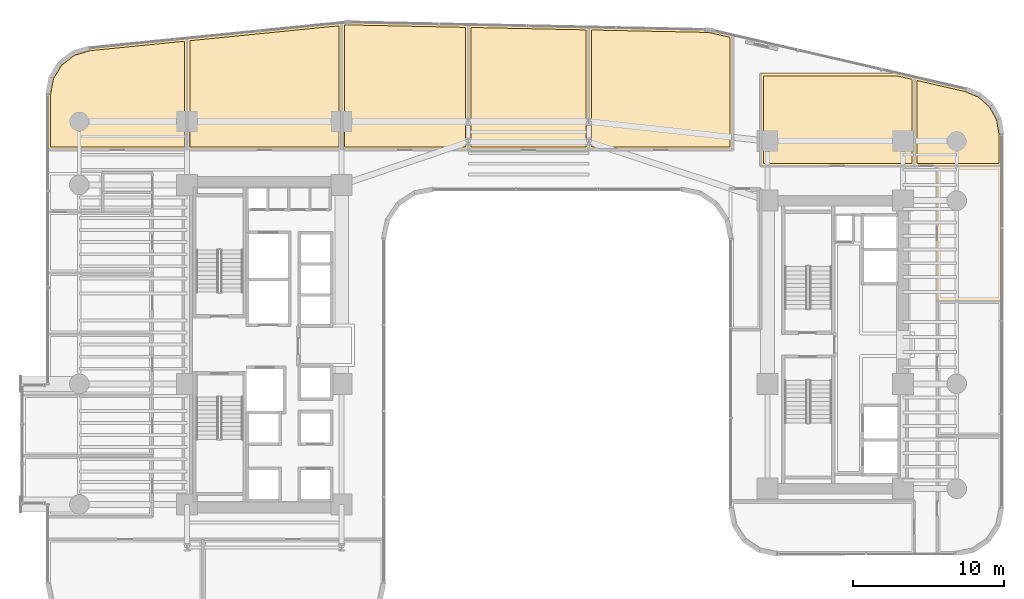
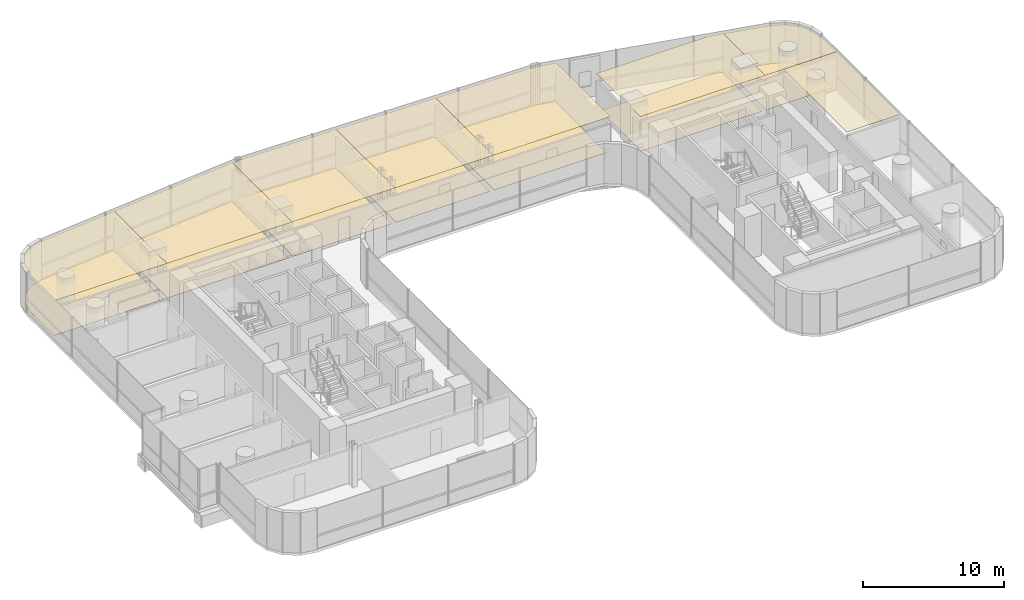
# One storey, part 39 of 39: 15 coverings.
"""IFC4 building model written with IfcOpenShell, lengths in metres."""

from ifc_helpers import new_model, si_unit, direction, frame, origin, place, context, subcontext, project, spatial, polyline, outline, extrude, material, layer, layer_set, type_object, element, save


model = new_model("IFC4")

# Units and contexts
model_context = context("Model", 3, precision=1e-05, world=origin(), true_north=direction((0.0, 1.0)))
body_context = subcontext(model_context, "Body", "Model", "MODEL_VIEW")
ifc_project = project(units=[si_unit("LENGTHUNIT", "METRE"), si_unit("AREAUNIT", "SQUARE_METRE"), si_unit("VOLUMEUNIT", "CUBIC_METRE"), si_unit("PLANEANGLEUNIT", "RADIAN"), si_unit("MASSUNIT", "GRAM", prefix="KILO")], contexts=[model_context])

# Site, building, storey
site_placement = place(None, origin())
site = spatial("IfcSite", under=ifc_project, at=site_placement, CompositionType="ELEMENT")
building_placement = place(site_placement, origin())
building = spatial("IfcBuilding", under=site, at=building_placement, Name="Valdorenza Pilgrim Sanctuary Tower", CompositionType="ELEMENT")
storey_placement = place(building_placement, frame((0.0, 0.0, 33.39990234375)))
storey = spatial("IfcBuildingStorey", under=building, at=storey_placement, Name="L07", CompositionType="ELEMENT", Elevation=33.39990234375)

# Coverings
ifc_material_1 = material(Name="Micro-perforated acoustic mineral ceiling tile", Category="gypsum")
ifc_layer_1 = layer(ifc_material_1, 0.02490234375, Name="Micro-perforated acoustic mineral ceiling tile")
ifc_layer_set_1 = layer_set([ifc_layer_1], Name="Micro-perforated acoustic mineral ceiling tile")
covering_type_1 = type_object("IfcCoveringType", Name="COV-CLG-ACU", PredefinedType="CEILING", material=ifc_layer_set_1)
covering_1_placement = place(storey_placement, frame((0.0, 0.0, 3.16015625)))
element("IfcCovering", 1, at=covering_1_placement, inside=storey, type_object=covering_type_1, Name="L07 Sanctuary Administration Office L07-N1 Acoustic Ceiling", PredefinedType="CEILING", context=body_context, shape_type="SweptSolid", body=[
    extrude(outline(polyline([(-31.889892578125, 12.905029296875), (-31.8916015625, 12.905029296875), (-31.892822265625, 12.9052734375), (-31.894287109375, 12.905517578125), (-31.895751953125, 12.906005859375), (-31.897216796875, 12.90673828125), (-31.898193359375, 12.907470703125), (-31.8994140625, 12.908447265625), (-31.900634765625, 12.909423828125), (-31.901611328125, 12.910400390625), (-31.902587890625, 12.91162109375), (-31.9033203125, 12.912841796875), (-31.90380859375, 12.914306640625), (-31.904296875, 12.91552734375), (-31.90478515625, 12.9169921875), (-31.90478515625, 12.91845703125), (-31.905029296875, 12.919921875), (-31.905029296875, 16.593994140625), (-31.90478515625, 16.59521484375), (-31.90478515625, 16.5966796875), (-31.6962890625, 17.717041015625), (-31.696044921875, 17.718505859375), (-31.695556640625, 17.7197265625), (-31.695068359375, 17.720947265625), (-31.6943359375, 17.72216796875), (-31.102294921875, 18.68408203125), (-31.1015625, 18.685302734375), (-31.100830078125, 18.686279296875), (-31.099853515625, 18.687255859375), (-31.0986328125, 18.688232421875), (-30.20068359375, 19.372802734375), (-30.199462890625, 19.37353515625), (-30.1982421875, 19.374267578125), (-30.197021484375, 19.374755859375), (-30.19580078125, 19.375244140625), (-29.1015625, 19.694091796875), (-29.10009765625, 19.694580078125), (-29.098876953125, 19.694580078125), (-22.651611328125, 20.33935546875), (-22.64990234375, 20.339599609375), (-22.6484375, 20.33935546875), (-22.647216796875, 20.339111328125), (-22.645751953125, 20.3388671875), (-22.644287109375, 20.33837890625), (-22.642822265625, 20.337646484375), (-22.6416015625, 20.3369140625), (-22.640380859375, 20.336181640625), (-22.639404296875, 20.335205078125), (-22.638427734375, 20.333984375), (-22.637451171875, 20.332763671875), (-22.63671875, 20.33154296875), (-22.635986328125, 20.330078125), (-22.635498046875, 20.328857421875), (-22.63525390625, 20.327392578125), (-22.635009765625, 20.325927734375), (-22.635009765625, 20.324462890625), (-22.635009765625, 12.919921875), (-22.635009765625, 12.91845703125), (-22.63525390625, 12.9169921875), (-22.635498046875, 12.91552734375), (-22.635986328125, 12.914306640625), (-22.63671875, 12.912841796875), (-22.637451171875, 12.91162109375), (-22.638427734375, 12.910400390625), (-22.639404296875, 12.909423828125), (-22.640380859375, 12.908447265625), (-22.6416015625, 12.907470703125), (-22.642822265625, 12.90673828125), (-22.644287109375, 12.906005859375), (-22.6455078125, 12.905517578125), (-22.647216796875, 12.9052734375), (-22.6484375, 12.905029296875), (-22.64990234375, 12.905029296875), (-31.889892578125, 12.905029296875)])), origin(), (0.0, 0.0, 1.0), 0.02490234375),
])
covering_2_placement = place(storey_placement, frame((0.0, 0.0, 3.16015625)))
element("IfcCovering", 2, at=covering_2_placement, inside=storey, type_object=covering_type_1, Name="L07 Sanctuary Administration Office L07-N2 Acoustic Ceiling", PredefinedType="CEILING", context=body_context, shape_type="SweptSolid", body=[
    extrude(outline(polyline([(-22.6630859375, 20.324462890625), (-22.6630859375, 20.325439453125), (-22.662841796875, 20.326904296875), (-22.66259765625, 20.32861328125), (-22.662109375, 20.329833984375), (-22.66162109375, 20.331298828125), (-22.66064453125, 20.332763671875), (-22.659912109375, 20.333984375), (-22.658935546875, 20.3349609375), (-22.65771484375, 20.336181640625), (-22.656494140625, 20.3369140625), (-22.6552734375, 20.337890625), (-22.65380859375, 20.33837890625), (-22.652587890625, 20.339111328125), (-22.65087890625, 20.33935546875), (-22.6494140625, 20.339599609375), (-12.401611328125, 21.364501953125), (-12.39990234375, 21.364501953125), (-12.3984375, 21.364501953125), (-12.397216796875, 21.3642578125), (-12.395751953125, 21.36376953125), (-12.394287109375, 21.36328125), (-12.392822265625, 21.36279296875), (-12.3916015625, 21.36181640625), (-12.390380859375, 21.361083984375), (-12.389404296875, 21.360107421875), (-12.388427734375, 21.35888671875), (-12.387451171875, 21.35791015625), (-12.38671875, 21.3564453125), (-12.385986328125, 21.355224609375), (-12.385498046875, 21.353759765625), (-12.38525390625, 21.352294921875), (-12.385009765625, 21.350830078125), (-12.385009765625, 21.349609375), (-12.385009765625, 12.919921875), (-12.385009765625, 12.91845703125), (-12.38525390625, 12.9169921875), (-12.385498046875, 12.91552734375), (-12.385986328125, 12.914306640625), (-12.38671875, 12.912841796875), (-12.387451171875, 12.91162109375), (-12.388427734375, 12.910400390625), (-12.389404296875, 12.909423828125), (-12.390380859375, 12.908447265625), (-12.3916015625, 12.907470703125), (-12.392822265625, 12.90673828125), (-12.394287109375, 12.906005859375), (-12.3955078125, 12.905517578125), (-12.397216796875, 12.9052734375), (-12.3984375, 12.905029296875), (-12.39990234375, 12.905029296875), (-22.64794921875, 12.905029296875), (-22.6494140625, 12.905029296875), (-22.65087890625, 12.9052734375), (-22.65234375, 12.905517578125), (-22.65380859375, 12.906005859375), (-22.655029296875, 12.90673828125), (-22.65625, 12.907470703125), (-22.657470703125, 12.908447265625), (-22.65869140625, 12.909423828125), (-22.65966796875, 12.910400390625), (-22.660400390625, 12.91162109375), (-22.6611328125, 12.912841796875), (-22.661865234375, 12.914306640625), (-22.662353515625, 12.91552734375), (-22.66259765625, 12.9169921875), (-22.662841796875, 12.91845703125), (-22.6630859375, 12.919921875), (-22.6630859375, 20.324462890625), (-22.6630859375, 20.324462890625)])), origin(), (0.0, 0.0, 1.0), 0.02490234375),
])
covering_3_placement = place(storey_placement, frame((0.0, 0.0, 3.16015625)))
element("IfcCovering", 3, at=covering_3_placement, inside=storey, type_object=covering_type_1, Name="L07 Sanctuary Administration Office L07-N3 Acoustic Ceiling", PredefinedType="CEILING", context=body_context, shape_type="SweptSolid", body=[
    extrude(outline(polyline([(-12.4130859375, 21.349609375), (-12.4130859375, 21.3505859375), (-12.412841796875, 21.35205078125), (-12.41259765625, 21.353515625), (-12.412109375, 21.35498046875), (-12.41162109375, 21.356201171875), (-12.41064453125, 21.357666015625), (-12.409912109375, 21.35888671875), (-12.408935546875, 21.360107421875), (-12.40771484375, 21.361083984375), (-12.406494140625, 21.362060546875), (-12.4052734375, 21.36279296875), (-12.40380859375, 21.363525390625), (-12.402587890625, 21.364013671875), (-12.40087890625, 21.364501953125), (-12.3994140625, 21.364501953125), (-12.18359375, 21.38623046875), (-12.183349609375, 21.38623046875), (-12.089599609375, 21.39404296875), (-12.089111328125, 21.39404296875), (-11.996337890625, 21.399169921875), (-11.995849609375, 21.3994140625), (-11.902587890625, 21.401611328125), (-11.90234375, 21.401611328125), (-11.808349609375, 21.40087890625), (-11.80810546875, 21.40087890625), (-3.999755859375, 21.23828125), (-3.998291015625, 21.23828125), (-3.996826171875, 21.238037109375), (-3.995361328125, 21.237548828125), (-3.993896484375, 21.237060546875), (-3.99267578125, 21.236572265625), (-3.991455078125, 21.235595703125), (-3.990234375, 21.23486328125), (-3.9892578125, 21.23388671875), (-3.98828125, 21.232666015625), (-3.987548828125, 21.231689453125), (-3.98681640625, 21.230224609375), (-3.986083984375, 21.22900390625), (-3.985595703125, 21.2275390625), (-3.9853515625, 21.226318359375), (-3.985107421875, 21.224853515625), (-3.985107421875, 21.223388671875), (-3.985107421875, 12.919921875), (-3.985107421875, 12.91845703125), (-3.9853515625, 12.9169921875), (-3.985595703125, 12.91552734375), (-3.986083984375, 12.914306640625), (-3.98681640625, 12.912841796875), (-3.987548828125, 12.91162109375), (-3.98828125, 12.910400390625), (-3.989501953125, 12.909423828125), (-3.990478515625, 12.908447265625), (-3.99169921875, 12.907470703125), (-3.992919921875, 12.90673828125), (-3.994384765625, 12.906005859375), (-3.99560546875, 12.905517578125), (-3.9970703125, 12.9052734375), (-3.99853515625, 12.905029296875), (-4.0, 12.905029296875), (-12.39794921875, 12.905029296875), (-12.3994140625, 12.905029296875), (-12.40087890625, 12.9052734375), (-12.40234375, 12.905517578125), (-12.40380859375, 12.906005859375), (-12.405029296875, 12.90673828125), (-12.40625, 12.907470703125), (-12.407470703125, 12.908447265625), (-12.40869140625, 12.909423828125), (-12.40966796875, 12.910400390625), (-12.410400390625, 12.91162109375), (-12.4111328125, 12.912841796875), (-12.411865234375, 12.914306640625), (-12.412353515625, 12.91552734375), (-12.41259765625, 12.9169921875), (-12.412841796875, 12.91845703125), (-12.4130859375, 12.919921875), (-12.4130859375, 21.349609375), (-12.4130859375, 21.349609375)])), origin(), (0.0, 0.0, 1.0), 0.02490234375),
])
covering_4_placement = place(storey_placement, frame((0.0, 0.0, 3.16015625)))
element("IfcCovering", 4, at=covering_4_placement, inside=storey, type_object=covering_type_1, Name="L07 Sanctuary Administration Office L07-N4 Acoustic Ceiling", PredefinedType="CEILING", context=body_context, shape_type="SweptSolid", body=[
    extrude(outline(polyline([(-3.998046875, 12.905029296875), (-3.99951171875, 12.905029296875), (-4.0009765625, 12.9052734375), (-4.00244140625, 12.905517578125), (-4.003662109375, 12.906005859375), (-4.005126953125, 12.90673828125), (-4.00634765625, 12.907470703125), (-4.007568359375, 12.908447265625), (-4.008544921875, 12.909423828125), (-4.009521484375, 12.910400390625), (-4.010498046875, 12.91162109375), (-4.01123046875, 12.912841796875), (-4.011962890625, 12.914306640625), (-4.012451171875, 12.91552734375), (-4.0126953125, 12.9169921875), (-4.012939453125, 12.91845703125), (-4.012939453125, 12.919921875), (-4.012939453125, 21.223388671875), (-4.012939453125, 21.224853515625), (-4.0126953125, 21.226318359375), (-4.01220703125, 21.227783203125), (-4.01171875, 21.22900390625), (-4.01123046875, 21.23046875), (-4.010498046875, 21.231689453125), (-4.009521484375, 21.23291015625), (-4.008544921875, 21.23388671875), (-4.00732421875, 21.235107421875), (-4.006103515625, 21.23583984375), (-4.0048828125, 21.236572265625), (-4.00341796875, 21.2373046875), (-4.002197265625, 21.23779296875), (-4.000732421875, 21.238037109375), (-3.999267578125, 21.23828125), (-3.997802734375, 21.23828125), (4.000244140625, 21.07177734375), (4.001708984375, 21.071533203125), (4.003173828125, 21.0712890625), (4.004638671875, 21.07080078125), (4.006103515625, 21.0703125), (4.00732421875, 21.06982421875), (4.008544921875, 21.069091796875), (4.009765625, 21.068115234375), (4.0107421875, 21.067138671875), (4.01171875, 21.066162109375), (4.012451171875, 21.06494140625), (4.01318359375, 21.063720703125), (4.013916015625, 21.062255859375), (4.014404296875, 21.06103515625), (4.0146484375, 21.0595703125), (4.014892578125, 21.05810546875), (4.014892578125, 21.056640625), (4.014892578125, 12.919921875), (4.014892578125, 12.91845703125), (4.0146484375, 12.9169921875), (4.014404296875, 12.91552734375), (4.013916015625, 12.914306640625), (4.01318359375, 12.912841796875), (4.012451171875, 12.91162109375), (4.01171875, 12.910400390625), (4.010498046875, 12.909423828125), (4.009521484375, 12.908447265625), (4.00830078125, 12.907470703125), (4.007080078125, 12.90673828125), (4.005615234375, 12.906005859375), (4.00439453125, 12.905517578125), (4.0029296875, 12.9052734375), (4.00146484375, 12.905029296875), (4.0, 12.905029296875), (-3.998046875, 12.905029296875)])), origin(), (0.0, 0.0, 1.0), 0.02490234375),
])
covering_5_placement = place(storey_placement, frame((0.0, 0.0, 3.16015625)))
element("IfcCovering", 5, at=covering_5_placement, inside=storey, type_object=covering_type_1, Name="L07 Sanctuary Administration Office L07-N5 Acoustic Ceiling", PredefinedType="CEILING", context=body_context, shape_type="SweptSolid", body=[
    extrude(outline(polyline([(4.001953125, 12.905029296875), (4.00048828125, 12.905029296875), (3.9990234375, 12.9052734375), (3.99755859375, 12.905517578125), (3.996337890625, 12.906005859375), (3.994873046875, 12.90673828125), (3.99365234375, 12.907470703125), (3.992431640625, 12.908447265625), (3.991455078125, 12.909423828125), (3.990478515625, 12.910400390625), (3.989501953125, 12.91162109375), (3.98876953125, 12.912841796875), (3.988037109375, 12.914306640625), (3.987548828125, 12.91552734375), (3.9873046875, 12.9169921875), (3.987060546875, 12.91845703125), (3.987060546875, 12.919921875), (3.987060546875, 21.056640625), (3.987060546875, 21.05810546875), (3.9873046875, 21.0595703125), (3.98779296875, 21.06103515625), (3.98828125, 21.0625), (3.98876953125, 21.063720703125), (3.989501953125, 21.06494140625), (3.990478515625, 21.066162109375), (3.991455078125, 21.0673828125), (3.99267578125, 21.068359375), (3.993896484375, 21.069091796875), (3.9951171875, 21.06982421875), (3.99658203125, 21.070556640625), (3.997802734375, 21.071044921875), (3.999267578125, 21.0712890625), (4.000732421875, 21.071533203125), (4.002197265625, 21.071533203125), (11.666015625, 20.912109375), (11.66650390625, 20.911865234375), (11.82666015625, 20.904296875), (11.827392578125, 20.904296875), (11.98583984375, 20.888916015625), (11.986572265625, 20.888671875), (12.143798828125, 20.864990234375), (12.14453125, 20.864990234375), (12.302001953125, 20.832763671875), (12.30224609375, 20.832763671875), (13.553466796875, 20.5439453125), (13.5546875, 20.543701171875), (13.55615234375, 20.543212890625), (13.557373046875, 20.54248046875), (13.55859375, 20.541748046875), (13.559814453125, 20.540771484375), (13.560791015625, 20.539794921875), (13.561767578125, 20.538818359375), (13.5625, 20.53759765625), (13.563232421875, 20.536376953125), (13.56396484375, 20.534912109375), (13.564453125, 20.53369140625), (13.564697265625, 20.5322265625), (13.56494140625, 20.53076171875), (13.56494140625, 20.529296875), (13.56494140625, 12.919921875), (13.56494140625, 12.91845703125), (13.564697265625, 12.9169921875), (13.564453125, 12.91552734375), (13.56396484375, 12.914306640625), (13.563232421875, 12.912841796875), (13.5625, 12.91162109375), (13.5615234375, 12.910400390625), (13.560546875, 12.909423828125), (13.5595703125, 12.908447265625), (13.558349609375, 12.907470703125), (13.55712890625, 12.90673828125), (13.5556640625, 12.906005859375), (13.554443359375, 12.905517578125), (13.552978515625, 12.9052734375), (13.551513671875, 12.905029296875), (13.550048828125, 12.905029296875), (4.001953125, 12.905029296875)])), origin(), (0.0, 0.0, 1.0), 0.02490234375),
])
covering_6_placement = place(storey_placement, frame((0.0, 0.0, 3.16015625)))
element("IfcCovering", 6, at=covering_6_placement, inside=storey, type_object=covering_type_1, Name="L07 Curator Research Office L07-BN1 Acoustic Ceiling", PredefinedType="CEILING", context=body_context, shape_type="SweptSolid", body=[
    extrude(outline(polyline([(15.39990234375, 11.8349609375), (15.3984375, 11.835205078125), (15.397216796875, 11.835205078125), (15.3955078125, 11.835693359375), (15.394287109375, 11.836181640625), (15.392822265625, 11.8369140625), (15.3916015625, 11.83740234375), (15.390380859375, 11.83837890625), (15.389404296875, 11.83935546875), (15.388427734375, 11.840576171875), (15.387451171875, 11.841796875), (15.38671875, 11.843017578125), (15.385986328125, 11.84423828125), (15.385498046875, 11.845703125), (15.38525390625, 11.84716796875), (15.385009765625, 11.848388671875), (15.385009765625, 11.85009765625), (15.385009765625, 18.0), (15.385009765625, 18.00146484375), (15.38525390625, 18.0029296875), (15.385498046875, 18.00439453125), (15.385986328125, 18.005615234375), (15.38671875, 18.007080078125), (15.387451171875, 18.00830078125), (15.388427734375, 18.009521484375), (15.389404296875, 18.010498046875), (15.390380859375, 18.01171875), (15.3916015625, 18.012451171875), (15.392822265625, 18.01318359375), (15.394287109375, 18.013916015625), (15.3955078125, 18.014404296875), (15.397216796875, 18.0146484375), (15.3984375, 18.014892578125), (15.39990234375, 18.014892578125), (24.5107421875, 18.014892578125), (24.512451171875, 18.014892578125), (24.51416015625, 18.0146484375), (25.603515625, 17.76318359375), (25.604736328125, 17.762939453125), (25.606201171875, 17.76220703125), (25.607421875, 17.76171875), (25.608642578125, 17.760986328125), (25.609619140625, 17.760009765625), (25.61083984375, 17.759033203125), (25.61181640625, 17.758056640625), (25.612548828125, 17.7568359375), (25.61328125, 17.755615234375), (25.614013671875, 17.75439453125), (25.614501953125, 17.7529296875), (25.61474609375, 17.75146484375), (25.614990234375, 17.75), (25.614990234375, 17.74853515625), (25.614990234375, 11.85009765625), (25.614990234375, 11.848388671875), (25.61474609375, 11.84716796875), (25.614501953125, 11.845703125), (25.614013671875, 11.84423828125), (25.61328125, 11.843017578125), (25.612548828125, 11.841796875), (25.611572265625, 11.840576171875), (25.610595703125, 11.83935546875), (25.609619140625, 11.83837890625), (25.6083984375, 11.83740234375), (25.607177734375, 11.8369140625), (25.605712890625, 11.836181640625), (25.6044921875, 11.835693359375), (25.602783203125, 11.835205078125), (25.6015625, 11.835205078125), (25.60009765625, 11.8349609375), (15.39990234375, 11.8349609375)])), origin(), (0.0, 0.0, 1.0), 0.02490234375),
])
covering_7_placement = place(storey_placement, frame((0.0, 0.0, 3.16015625)))
element("IfcCovering", 7, at=covering_7_placement, inside=storey, type_object=covering_type_1, Name="L07 East Wing Reference Library L07-BNE Acoustic Ceiling", PredefinedType="CEILING", context=body_context, shape_type="SweptSolid", body=[
    extrude(outline(polyline([(28.9892578125, 16.98193359375), (28.990478515625, 16.981689453125), (28.99169921875, 16.981201171875), (29.95361328125, 16.580322265625), (29.955078125, 16.57958984375), (29.95654296875, 16.57861328125), (29.9580078125, 16.57763671875), (30.72705078125, 15.88818359375), (30.728271484375, 15.886962890625), (30.729248046875, 15.8857421875), (30.72998046875, 15.88427734375), (31.22900390625, 14.97998046875), (31.2294921875, 14.978271484375), (31.230224609375, 14.976806640625), (31.230712890625, 14.97509765625), (31.40478515625, 13.947509765625), (31.40478515625, 13.9462890625), (31.405029296875, 13.945068359375), (31.405029296875, 11.85009765625), (31.40478515625, 11.848388671875), (31.40478515625, 11.84716796875), (31.404296875, 11.845703125), (31.40380859375, 11.84423828125), (31.4033203125, 11.843017578125), (31.402587890625, 11.841796875), (31.401611328125, 11.840576171875), (31.400634765625, 11.83935546875), (31.3994140625, 11.83837890625), (31.398193359375, 11.83740234375), (31.397216796875, 11.8369140625), (31.395751953125, 11.836181640625), (31.394287109375, 11.835693359375), (31.392822265625, 11.835205078125), (31.3916015625, 11.835205078125), (31.389892578125, 11.8349609375), (25.60205078125, 11.8349609375), (25.6005859375, 11.835205078125), (25.59912109375, 11.835205078125), (25.59765625, 11.835693359375), (25.59619140625, 11.836181640625), (25.594970703125, 11.8369140625), (25.59375, 11.83740234375), (25.592529296875, 11.83837890625), (25.59130859375, 11.83935546875), (25.59033203125, 11.840576171875), (25.589599609375, 11.841796875), (25.5888671875, 11.843017578125), (25.588134765625, 11.84423828125), (25.587646484375, 11.845703125), (25.58740234375, 11.84716796875), (25.587158203125, 11.848388671875), (25.5869140625, 11.85009765625), (25.5869140625, 17.748291015625), (25.587158203125, 17.749755859375), (25.58740234375, 17.751220703125), (25.587646484375, 17.752685546875), (25.588134765625, 17.75390625), (25.5888671875, 17.75537109375), (25.589599609375, 17.756591796875), (25.590576171875, 17.7578125), (25.591552734375, 17.7587890625), (25.5927734375, 17.760009765625), (25.593994140625, 17.7607421875), (25.59521484375, 17.761474609375), (25.596435546875, 17.76220703125), (25.597900390625, 17.7626953125), (25.599365234375, 17.762939453125), (25.600830078125, 17.76318359375), (25.602294921875, 17.76318359375), (25.60400390625, 17.76318359375), (25.60546875, 17.7626953125), (28.9892578125, 16.98193359375)])), origin(), (0.0, 0.0, 1.0), 0.02490234375),
])
covering_8_placement = place(storey_placement, frame((0.0, 0.0, 3.16015625)))
element("IfcCovering", 8, at=covering_8_placement, inside=storey, type_object=covering_type_1, Name="L07 Open Plan Scholar Office L07-EB3 Acoustic Ceiling", PredefinedType="CEILING", context=body_context, shape_type="SweptSolid", body=[
    extrude(outline(polyline([(27.0849609375, 11.847900390625), (27.085205078125, 11.849609375), (27.085205078125, 11.850830078125), (27.085693359375, 11.852294921875), (27.086181640625, 11.853759765625), (27.0869140625, 11.85498046875), (27.08740234375, 11.856201171875), (27.08837890625, 11.857421875), (27.08935546875, 11.858642578125), (27.090576171875, 11.859619140625), (27.091796875, 11.860595703125), (27.093017578125, 11.861083984375), (27.09423828125, 11.86181640625), (27.095703125, 11.8623046875), (27.09716796875, 11.86279296875), (27.098388671875, 11.86279296875), (27.10009765625, 11.863037109375), (31.389892578125, 11.863037109375), (31.3916015625, 11.86279296875), (31.392822265625, 11.86279296875), (31.394287109375, 11.8623046875), (31.395751953125, 11.86181640625), (31.397216796875, 11.861083984375), (31.398193359375, 11.860595703125), (31.3994140625, 11.859619140625), (31.400634765625, 11.858642578125), (31.401611328125, 11.857421875), (31.402587890625, 11.856201171875), (31.4033203125, 11.85498046875), (31.40380859375, 11.853759765625), (31.404296875, 11.852294921875), (31.40478515625, 11.850830078125), (31.40478515625, 11.849609375), (31.405029296875, 11.847900390625), (31.405029296875, 2.902099609375), (31.40478515625, 2.900390625), (31.40478515625, 2.899169921875), (31.404296875, 2.897705078125), (31.40380859375, 2.896240234375), (31.4033203125, 2.89501953125), (31.402587890625, 2.893798828125), (31.401611328125, 2.892578125), (31.400634765625, 2.891357421875), (31.3994140625, 2.890380859375), (31.398193359375, 2.889404296875), (31.397216796875, 2.888916015625), (31.395751953125, 2.88818359375), (31.394287109375, 2.8876953125), (31.392822265625, 2.88720703125), (31.3916015625, 2.88720703125), (31.389892578125, 2.886962890625), (27.10009765625, 2.886962890625), (27.098388671875, 2.88720703125), (27.09716796875, 2.88720703125), (27.095703125, 2.8876953125), (27.09423828125, 2.88818359375), (27.093017578125, 2.888916015625), (27.091796875, 2.889404296875), (27.090576171875, 2.890380859375), (27.08935546875, 2.891357421875), (27.08837890625, 2.892578125), (27.08740234375, 2.893798828125), (27.0869140625, 2.89501953125), (27.086181640625, 2.896240234375), (27.085693359375, 2.897705078125), (27.085205078125, 2.899169921875), (27.085205078125, 2.900390625), (27.0849609375, 2.902099609375), (27.0849609375, 11.847900390625)])), origin(), (0.0, 0.0, 1.0), 0.02490234375),
])
ifc_material_2 = material(Name="Honed travertine stone flooring", Category="masonry")
ifc_layer_2 = layer(ifc_material_2, 0.030029296875, Name="Honed travertine stone flooring")
ifc_layer_set_2 = layer_set([ifc_layer_2], Name="Honed travertine stone flooring")
covering_type_2 = type_object("IfcCoveringType", Name="COV-FLR-TRV", PredefinedType="FLOORING", material=ifc_layer_set_2)
covering_9_placement = place(storey_placement, origin())
element("IfcCovering", 9, at=covering_9_placement, inside=storey, type_object=covering_type_2, Name="L07 Sanctuary Administration Office L07-N1 Flooring", PredefinedType="FLOORING", context=body_context, shape_type="SweptSolid", body=[
    extrude(outline(polyline([(-31.7099609375, 13.10009765625), (-31.7099609375, 16.577392578125), (-31.5107421875, 17.6484375), (-30.953857421875, 18.553466796875), (-30.109130859375, 19.197509765625), (-29.06298828125, 19.502197265625), (-22.830078125, 20.12548828125), (-22.830078125, 13.10009765625), (-31.7099609375, 13.10009765625)])), origin(), (0.0, 0.0, 1.0), 0.025146484375),
])
covering_10_placement = place(storey_placement, origin())
element("IfcCovering", 10, at=covering_10_placement, inside=storey, type_object=covering_type_2, Name="L07 Sanctuary Administration Office L07-N2 Flooring", PredefinedType="FLOORING", context=body_context, shape_type="SweptSolid", body=[
    extrude(outline(polyline([(-22.468017578125, 13.10009765625), (-22.468017578125, 20.16162109375), (-12.580078125, 21.150634765625), (-12.580078125, 13.10009765625), (-22.468017578125, 13.10009765625)])), origin(), (0.0, 0.0, 1.0), 0.025146484375),
])
covering_11_placement = place(storey_placement, origin())
element("IfcCovering", 11, at=covering_11_placement, inside=storey, type_object=covering_type_2, Name="L07 Sanctuary Administration Office L07-N3 Flooring", PredefinedType="FLOORING", context=body_context, shape_type="SweptSolid", body=[
    extrude(outline(polyline([(-12.218017578125, 13.10009765625), (-12.218017578125, 21.186767578125), (-12.165283203125, 21.19189453125), (-12.07568359375, 21.19970703125), (-11.98828125, 21.204345703125), (-11.900634765625, 21.20654296875), (-11.810791015625, 21.2060546875), (-4.179931640625, 21.047119140625), (-4.179931640625, 13.10009765625), (-12.218017578125, 13.10009765625)])), origin(), (0.0, 0.0, 1.0), 0.025146484375),
])
covering_12_placement = place(storey_placement, origin())
element("IfcCovering", 12, at=covering_12_placement, inside=storey, type_object=covering_type_2, Name="L07 Sanctuary Administration Office L07-N4 Flooring", PredefinedType="FLOORING", context=body_context, shape_type="SweptSolid", body=[
    extrude(outline(polyline([(-3.818115234375, 13.10009765625), (-3.818115234375, 21.03955078125), (3.820068359375, 20.88037109375), (3.820068359375, 13.10009765625), (-3.818115234375, 13.10009765625)])), origin(), (0.0, 0.0, 1.0), 0.025146484375),
])
covering_13_placement = place(storey_placement, origin())
element("IfcCovering", 13, at=covering_13_placement, inside=storey, type_object=covering_type_2, Name="L07 Sanctuary Administration Office L07-N5 Flooring", PredefinedType="FLOORING", context=body_context, shape_type="SweptSolid", body=[
    extrude(outline(polyline([(4.181884765625, 13.10009765625), (4.181884765625, 20.872802734375), (11.65966796875, 20.717041015625), (11.81298828125, 20.7099609375), (11.962158203125, 20.6953125), (12.110107421875, 20.6728515625), (12.2607421875, 20.64208984375), (13.3701171875, 20.38623046875), (13.3701171875, 13.10009765625), (4.181884765625, 13.10009765625)])), origin(), (0.0, 0.0, 1.0), 0.025146484375),
])
covering_14_placement = place(storey_placement, origin())
element("IfcCovering", 14, at=covering_14_placement, inside=storey, type_object=covering_type_2, Name="L07 Curator Research Office L07-BN1 Flooring", PredefinedType="FLOORING", context=body_context, shape_type="SweptSolid", body=[
    extrude(outline(polyline([(15.580078125, 12.030029296875), (15.580078125, 17.820068359375), (24.490234375, 17.820068359375), (25.419921875, 17.60546875), (25.419921875, 12.030029296875), (15.580078125, 12.030029296875)])), origin(), (0.0, 0.0, 1.0), 0.025146484375),
])
covering_15_placement = place(storey_placement, origin())
element("IfcCovering", 15, at=covering_15_placement, inside=storey, type_object=covering_type_2, Name="L07 East Wing Reference Library L07-BNE Flooring", PredefinedType="FLOORING", context=body_context, shape_type="SweptSolid", body=[
    extrude(outline(polyline([(28.9306640625, 16.79541015625), (29.8505859375, 16.412109375), (30.57421875, 15.763427734375), (31.04345703125, 14.912353515625), (31.2099609375, 13.929931640625), (31.2099609375, 12.030029296875), (25.781982421875, 12.030029296875), (25.781982421875, 17.52197265625), (28.9306640625, 16.79541015625)])), origin(), (0.0, 0.0, 1.0), 0.025146484375),
])

save(model, "model.ifc")
